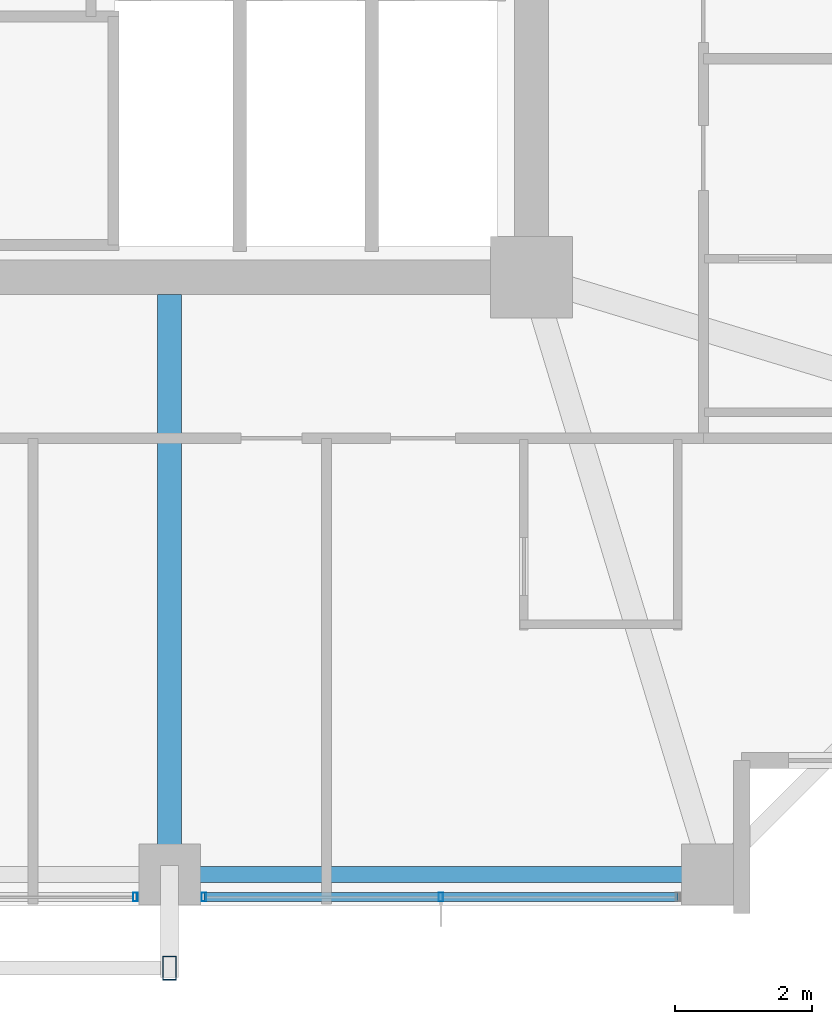
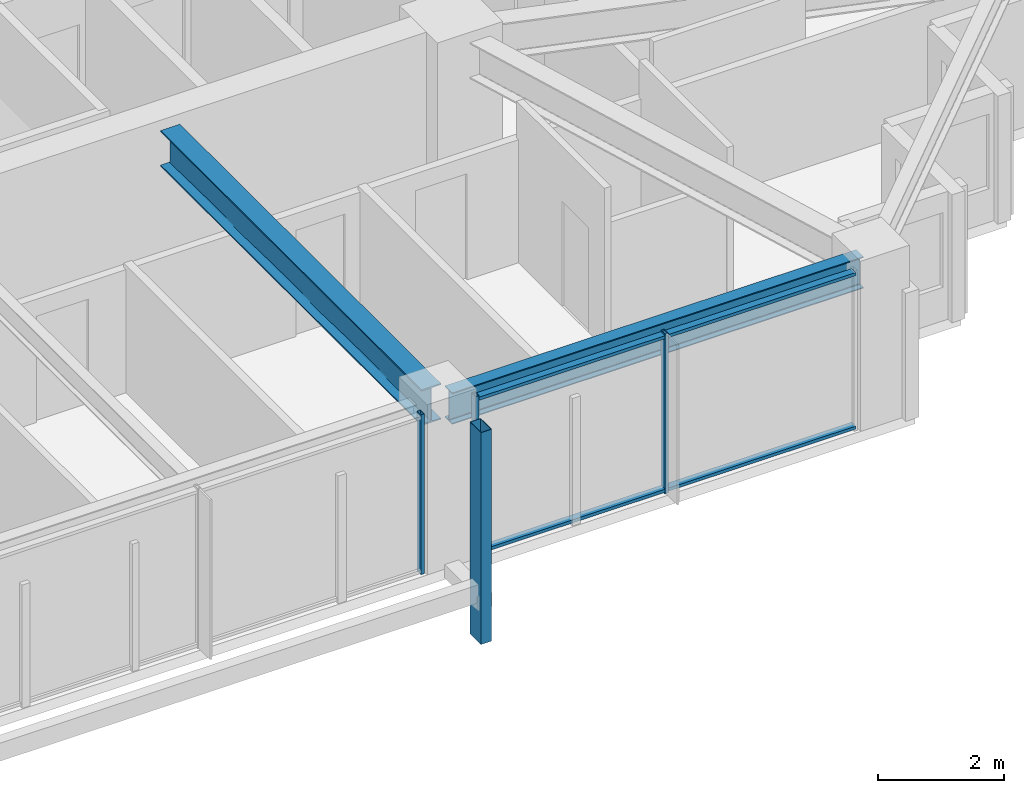
# One storey, part 7 of 37: 6 members, 2 beams, 2 elements without a shape of their own.
"""IFC4 building model written with IfcOpenShell, lengths in metres."""

from ifc_helpers import new_model, si_unit, direction, frame, origin, origin_2d, place, context, subcontext, project, spatial, hollow_rectangle, i_section, extrude, material, material_profile, profile_set, type_object, element, aggregate, save


model = new_model("IFC4")

# Units and contexts
model_context = context("Model", 3, precision=1e-05, world=origin(), true_north=direction((0.0, 1.0)))
body_context = subcontext(model_context, "Body", "Model", "MODEL_VIEW")
ifc_project = project(units=[si_unit("LENGTHUNIT", "METRE"), si_unit("AREAUNIT", "SQUARE_METRE"), si_unit("VOLUMEUNIT", "CUBIC_METRE"), si_unit("PLANEANGLEUNIT", "RADIAN"), si_unit("MASSUNIT", "GRAM", prefix="KILO")], contexts=[model_context])

# Site, building, storey
site_placement = place(None, origin())
site = spatial("IfcSite", under=ifc_project, at=site_placement, CompositionType="ELEMENT")
building_placement = place(site_placement, origin())
building = spatial("IfcBuilding", under=site, at=building_placement, Name="Kolvaren Belvedere", CompositionType="ELEMENT")
storey_placement = place(building_placement, frame((0.0, 0.0, 156.89990234375)))
storey = spatial("IfcBuildingStorey", under=building, at=storey_placement, Name="L45", CompositionType="ELEMENT", Elevation=156.89990234375)

# Beams
ifc_material_1 = material(Name="Structural steel ASTM A992 Grade 50", Category="steel")
ifc_material_profile_1 = material_profile(ifc_material_1, i_section(OverallWidth=0.35498046875, OverallDepth=0.696044921875, WebThickness=0.015380859375, FlangeThickness=0.02490234375, FilletRadius=0.02197265625, at=origin_2d()), Name="W27X146")
ifc_profile_set_1 = profile_set([ifc_material_profile_1], Name="Structural steel ASTM A992 Grade 50")
beam_type_1 = type_object("IfcBeamType", Name="BM-GIRD-W27X146", PredefinedType="BEAM", material=ifc_profile_set_1)
beam_1_placement = place(storey_placement, frame((4.60009765625, -10.14990234375, 2.752197265625), z_axis=(0.0, -1.0, 0.0), x_axis=(1.0, 0.0, 0.0)))
element("IfcBeam", 1, at=beam_1_placement, inside=storey, type_object=beam_type_1, Name="L45 South Radial Girder P", PredefinedType="BEAM", context=body_context, shape_type="SweptSolid", body=[
    extrude(i_section(OverallWidth=0.35498046875, OverallDepth=0.696044921875, WebThickness=0.015380859375, FlangeThickness=0.02490234375, FilletRadius=0.02197265625, at=origin_2d()), origin(), (0.0, 0.0, 1.0), 8.297607421875),
])
ifc_material_2 = material(Name="Structural steel ASTM A992 Grade 50", Category="steel")
ifc_material_profile_2 = material_profile(ifc_material_2, i_section(OverallWidth=0.22900390625, OverallDepth=0.612060546875, WebThickness=0.011962890625, FlangeThickness=0.01953125, FilletRadius=0.01806640625, at=origin_2d()), Name="W24X84")
ifc_profile_set_2 = profile_set([ifc_material_profile_2], Name="Structural steel ASTM A992 Grade 50")
beam_type_2 = type_object("IfcBeamType", Name="BM-SPAN-W24X84", PredefinedType="SPANDREL", material=ifc_profile_set_2)
beam_2_placement = place(storey_placement, frame((4.802490234375, -18.64990234375, 2.794189453125), z_axis=(1.0, 0.0, 0.0), x_axis=(0.0, 1.0, 0.0)))
element("IfcBeam", 2, at=beam_2_placement, inside=storey, type_object=beam_type_2, Name="L45 Perimeter Spandrel S3-S4", PredefinedType="SPANDREL", context=body_context, shape_type="SweptSolid", body=[
    extrude(i_section(OverallWidth=0.22900390625, OverallDepth=0.612060546875, WebThickness=0.011962890625, FlangeThickness=0.01953125, FilletRadius=0.01806640625, at=origin_2d()), origin(), (0.0, 0.0, 1.0), 7.544921875),
])

# Curtain wall, members
ifc_material_3 = material(Name="Anodised pale-metal aluminium AA 6063-T6", Category="aluminium")
curtain_wall_type = type_object("IfcCurtainWallType", Name="CW-Z3-WAIST", PredefinedType="NOTDEFINED", material=ifc_material_3)
curtain_wall_1_placement = place(storey_placement, origin())
curtain_wall_1 = element("IfcCurtainWall", 3, at=curtain_wall_1_placement, inside=storey, type_object=curtain_wall_type, Name="L45 Unitised Curtain Wall FCW-L45-S-B1", PredefinedType="NOTDEFINED")
ifc_material_4 = material(Name="Anodised pale-metal aluminium AA 6063-T6", Category="aluminium")
ifc_material_profile_3 = material_profile(ifc_material_4, hollow_rectangle(XDim=0.06494140625, YDim=0.1298828125, WallThickness=0.00390625, at=origin_2d()), Name="ALU-MUL-130X65")
ifc_profile_set_3 = profile_set([ifc_material_profile_3], Name="Anodised pale-metal aluminium AA 6063-T6")
member_type_1 = type_object("IfcMemberType", Name="CW-MUL-130", PredefinedType="MULLION", material=ifc_profile_set_3)
member_1_placement = place(storey_placement, frame((8.574951171875, -18.97998046875, 0.0), z_axis=(0.0, 0.0, 1.0), x_axis=(1.0, 0.0, 0.0)))
member_1 = element("IfcMember", 4, at=member_1_placement, type_object=member_type_1, Name="FCW-L45-S-B1 Unitised Mullion 2", PredefinedType="MULLION", context=body_context, shape_type="SweptSolid", body=[
    extrude(hollow_rectangle(XDim=0.06494140625, YDim=0.1298828125, WallThickness=0.00390625, at=origin_2d()), origin(), (0.0, 0.0, 1.0), 3.10009765625),
])
member_2_placement = place(storey_placement, frame((5.1025390625, -18.97998046875, 0.0), z_axis=(0.0, 0.0, 1.0), x_axis=(1.0, 0.0, 0.0)))
member_2 = element("IfcMember", 5, at=member_2_placement, type_object=member_type_1, Name="FCW-L45-S-B1 Unitised Mullion 3", PredefinedType="MULLION", context=body_context, shape_type="SweptSolid", body=[
    extrude(hollow_rectangle(XDim=0.06494140625, YDim=0.1298828125, WallThickness=0.00390625, at=origin_2d()), origin(), (0.0, 0.0, 1.0), 3.10009765625),
])

# Curtain wall, member
curtain_wall_2_placement = place(storey_placement, origin())
curtain_wall_2 = element("IfcCurtainWall", 6, at=curtain_wall_2_placement, inside=storey, type_object=curtain_wall_type, Name="L45 Unitised Curtain Wall FCW-L45-S-B2", PredefinedType="NOTDEFINED")
member_3_placement = place(storey_placement, frame((4.097412109375, -18.97998046875, 0.0), z_axis=(0.0, 0.0, 1.0), x_axis=(1.0, 0.0, 0.0)))
member_3 = element("IfcMember", 7, at=member_3_placement, type_object=member_type_1, Name="FCW-L45-S-B2 Unitised Mullion 1", PredefinedType="MULLION", context=body_context, shape_type="SweptSolid", body=[
    extrude(hollow_rectangle(XDim=0.06494140625, YDim=0.1298828125, WallThickness=0.00390625, at=origin_2d()), origin(), (0.0, 0.0, 1.0), 3.10009765625),
])
aggregate(curtain_wall_2, [member_3])

# Member
ifc_material_5 = material(Name="Anodised pale-metal aluminium AA 6063-T6", Category="aluminium")
ifc_material_profile_4 = material_profile(ifc_material_5, hollow_rectangle(XDim=0.06005859375, YDim=0.1298828125, WallThickness=0.00390625, at=origin_2d()), Name="ALU-TRN-130X60")
ifc_profile_set_4 = profile_set([ifc_material_profile_4], Name="Anodised pale-metal aluminium AA 6063-T6")
member_type_2 = type_object("IfcMemberType", Name="CW-TRN-130", PredefinedType="USERDEFINED", material=ifc_profile_set_4)
member_4_placement = place(storey_placement, frame((12.047607421875, -18.97998046875, 0.06005859375), z_axis=(-1.0, 0.0, 0.0), x_axis=(0.0, 0.0, 1.0)))
member_4 = element("IfcMember", 8, at=member_4_placement, type_object=member_type_2, Name="FCW-L45-S-B1 Sill Transom", ObjectType="TRANSOM", PredefinedType="USERDEFINED", context=body_context, shape_type="SweptSolid", body=[
    extrude(hollow_rectangle(XDim=0.06005859375, YDim=0.1298828125, WallThickness=0.00390625, at=origin_2d()), origin(), (0.0, 0.0, 1.0), 6.945068359375),
])

member_5_placement = place(storey_placement, frame((12.047607421875, -18.97998046875, 3.0400390625), z_axis=(-1.0, 0.0, 0.0), x_axis=(0.0, 0.0, 1.0)))
member_5 = element("IfcMember", 9, at=member_5_placement, type_object=member_type_2, Name="FCW-L45-S-B1 Head Transom", ObjectType="TRANSOM", PredefinedType="USERDEFINED", context=body_context, shape_type="SweptSolid", body=[
    extrude(hollow_rectangle(XDim=0.06005859375, YDim=0.1298828125, WallThickness=0.00390625, at=origin_2d()), origin(), (0.0, 0.0, 1.0), 6.945068359375),
])

aggregate(curtain_wall_1, [member_1, member_2, member_4, member_5])

ifc_material_6 = material(Name="Anodised pale-metal aluminium AA 6063-T6", Category="aluminium")
ifc_material_profile_5 = material_profile(ifc_material_6, hollow_rectangle(XDim=0.199951171875, YDim=0.35009765625, WallThickness=0.007568359375, at=origin_2d()), Name="ALU-PF-350X200")
ifc_profile_set_5 = profile_set([ifc_material_profile_5], Name="Anodised pale-metal aluminium AA 6063-T6")
member_type_3 = type_object("IfcMemberType", Name="PF-FRAME-350", PredefinedType="USERDEFINED", material=ifc_profile_set_5)
member_6_placement = place(storey_placement, frame((4.60009765625, -20.02001953125, -0.809814453125), z_axis=(0.0, 0.0, 1.0), x_axis=(1.0, 0.0, 0.0)))
element("IfcMember", 10, at=member_6_placement, inside=storey, type_object=member_type_3, Name="L45 Outboard Picture-Frame Vertical S1", ObjectType="PICTURE FRAME FIN", PredefinedType="USERDEFINED", context=body_context, shape_type="SweptSolid", body=[
    extrude(hollow_rectangle(XDim=0.199951171875, YDim=0.35009765625, WallThickness=0.007568359375, at=origin_2d()), origin(), (0.0, 0.0, 1.0), 4.10986328125),
])

save(model, "model.ifc")
